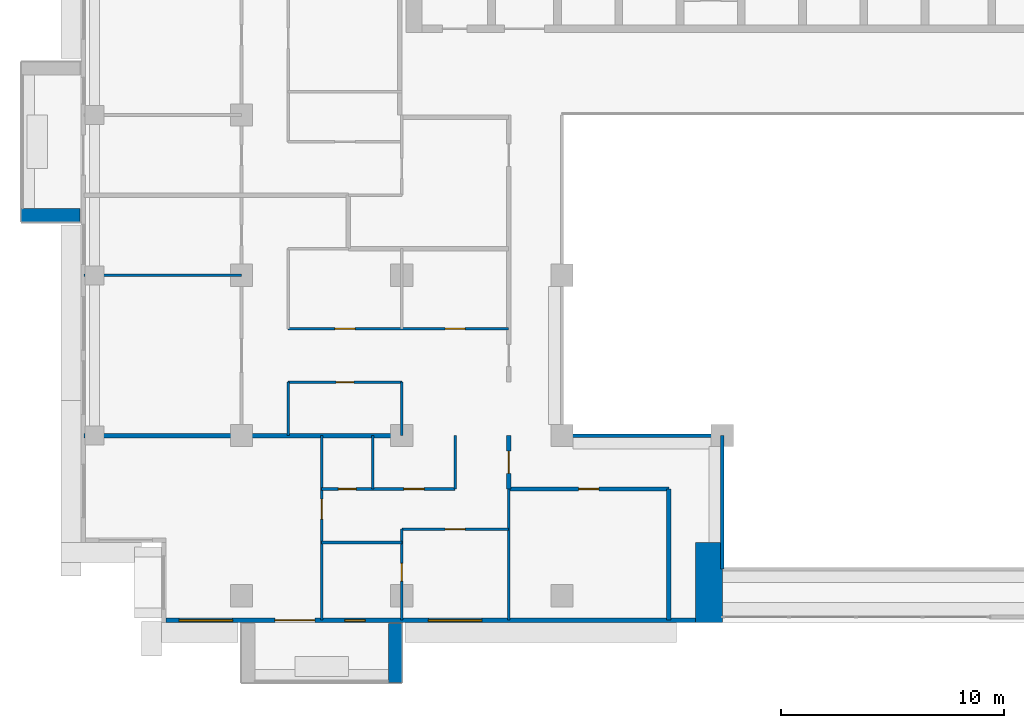
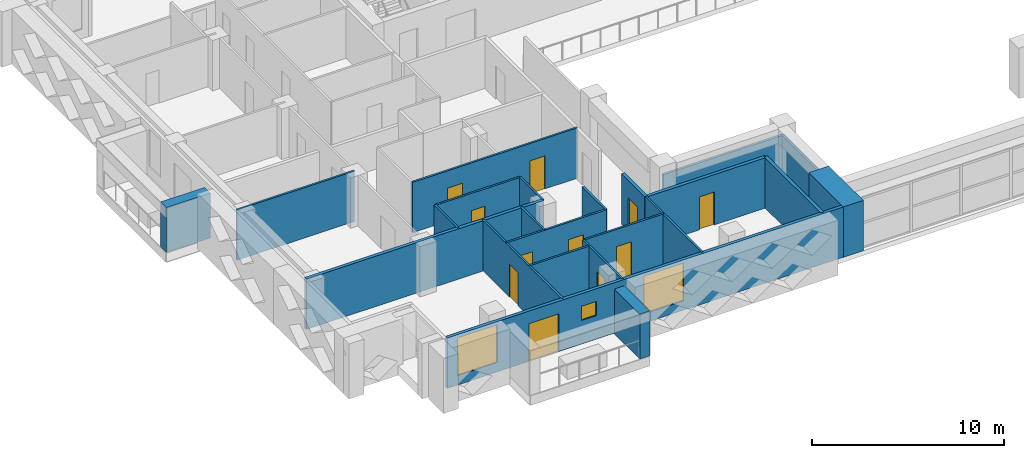
# One storey, part 6 of 19: 23 walls, 11 doors, 3 windows, 14 openings.
"""IFC4 building model written with IfcOpenShell, lengths in metres."""

from ifc_helpers import new_model, si_unit, direction, frame, frame_2d, origin, place, context, subcontext, project, spatial, rectangle, extrude, material, layer, layer_set, type_object, element, fill, save


model = new_model("IFC4")

# Units and contexts
model_context = context("Model", 3, precision=1e-05, world=origin(), true_north=direction((0.0, 1.0)))
body_context = subcontext(model_context, "Body", "Model", "MODEL_VIEW")
ifc_project = project(units=[si_unit("LENGTHUNIT", "METRE"), si_unit("AREAUNIT", "SQUARE_METRE"), si_unit("VOLUMEUNIT", "CUBIC_METRE"), si_unit("PLANEANGLEUNIT", "RADIAN"), si_unit("MASSUNIT", "GRAM", prefix="KILO")], contexts=[model_context])

# Site, building, storey
site_placement = place(None, origin())
site = spatial("IfcSite", under=ifc_project, at=site_placement, CompositionType="ELEMENT")
building_placement = place(site_placement, origin())
building = spatial("IfcBuilding", under=site, at=building_placement, Name="Saffron Iwan Residences", CompositionType="ELEMENT")
storey_placement = place(building_placement, frame((0.0, 0.0, 160.5)))
storey = spatial("IfcBuildingStorey", under=building, at=storey_placement, Name="L42", CompositionType="ELEMENT", Elevation=160.5)

# Walls
ifc_material_1 = material(Name="Fire-rated glazing", Category="glass")
ifc_layer_1 = layer(ifc_material_1, 0.14990234375)
ifc_layer_set_1 = layer_set([ifc_layer_1], Name="Fire-rated glazing")
wall_type_1 = type_object("IfcWallType", Name="Atrium glazed screen 150", PredefinedType="SOLIDWALL", material=ifc_layer_set_1)
wall_1_placement = place(storey_placement, frame((36.0, 48.0, 0.0), z_axis=(0.0, 0.0, 1.0), x_axis=(1.0, 0.0, 0.0)))
element("IfcWall", 1, at=wall_1_placement, inside=storey, type_object=wall_type_1, Name="W-L42-SCREEN-h48-36", PredefinedType="SOLIDWALL", context=body_context, shape_type="SweptSolid", body=[
    extrude(rectangle(XDim=7.199951171875, YDim=0.14990234375, at=frame_2d((3.60009765625, 0.0))), origin(), (0.0, 0.0, 1.0), 2.300048828125),
])
wall_2_placement = place(storey_placement, frame((43.199951171875, 42.0, 0.0), z_axis=(0.0, 0.0, 1.0), x_axis=(0.0, 1.0, 0.0)))
element("IfcWall", 2, at=wall_2_placement, inside=storey, type_object=wall_type_1, Name="W-L42-SCREEN-v43.2-42", PredefinedType="SOLIDWALL", context=body_context, shape_type="SweptSolid", body=[
    extrude(rectangle(XDim=6.0, YDim=0.14990234375, at=frame_2d((3.0, 0.0))), origin(), (0.0, 0.0, 1.0), 2.300048828125),
])
ifc_material_2 = material(Name="Concrete C50/60 white painted", Category="concrete")
ifc_layer_2 = layer(ifc_material_2, 0.60009765625)
ifc_layer_set_2 = layer_set([ifc_layer_2], Name="Concrete C50/60 white painted")
wall_type_2 = type_object("IfcWallType", Name="BALCONY FIN 600", PredefinedType="SOLIDWALL", material=ifc_layer_set_2)
for number, where, z_axis, x_axis, name in (
    (3, (14.35009765625, 57.89990234375, 0.0), (0.0, 0.0, 1.0), (-1.0, 0.0, 0.0), "Balcony fin L42 F8-0b"),
    (4, (28.5, 39.550048828125, 0.0), (0.0, 0.0, 1.0), (0.0, -1.0, 0.0), "Balcony fin L42 11-0b"),
):
    element("IfcWall", number, at=place(storey_placement, frame(where, z_axis=z_axis, x_axis=x_axis)), inside=storey, type_object=wall_type_2, Name=name, PredefinedType="SOLIDWALL", context=body_context, shape_type="SweptSolid", body=[
        extrude(rectangle(XDim=2.650146484375, YDim=0.60009765625, at=frame_2d((1.3251953125, 0.0))), origin(), (0.0, 0.0, 1.0), 2.85009765625),
    ])

# Wall, openings, door, windows
ifc_material_3 = material(Name="Concrete C40/50", Category="concrete")
ifc_layer_3 = layer(ifc_material_3, 0.199951171875)
ifc_layer_set_3 = layer_set([ifc_layer_3], Name="Concrete C40/50")
wall_type_3 = type_object("IfcWallType", Name="EXTERNAL WALL 200", PredefinedType="SOLIDWALL", material=ifc_layer_set_3)
wall_3_placement = place(storey_placement, frame((18.199951171875, 39.699951171875, 0.0), z_axis=(0.0, 0.0, 1.0), x_axis=(1.0, 0.0, 0.0)))
wall_3 = element("IfcWall", 5, at=wall_3_placement, inside=storey, type_object=wall_type_3, Name="External wall L42 F11.0", PredefinedType="SOLIDWALL", context=body_context, shape_type="SweptSolid", body=[
    extrude(rectangle(XDim=23.800048828125, YDim=0.199951171875, at=frame_2d((11.89990234375, 0.0))), origin(), (0.0, 0.0, 1.0), 3.199951171875),
])
opening_1_placement = place(wall_3_placement, frame((4.89990234375, 0.0, 0.0)))
opening_1 = element("IfcOpeningElement", 6, at=opening_1_placement, cuts=wall_3, Name="Opening BD1", PredefinedType="OPENING", context=body_context, shape_type="SweptSolid", body=[
    extrude(rectangle(XDim=1.800048828125, YDim=2.39990234375, at=frame_2d((0.89990234375, 1.199951171875))), frame((0.0, 0.10986328125, 0.0), z_axis=(0.0, -1.0, 0.0), x_axis=(1.0, 0.0, 0.0)), (0.0, 0.0, 1.0), 0.219970703125),
])
opening_2_placement = place(wall_3_placement, frame((0.60009765625, 0.0, 0.60009765625)))
opening_2 = element("IfcOpeningElement", 7, at=opening_2_placement, cuts=wall_3, Name="Opening W1", PredefinedType="OPENING", context=body_context, shape_type="SweptSolid", body=[
    extrude(rectangle(XDim=2.39990234375, YDim=2.39990234375, at=frame_2d((1.199951171875, 1.199951171875))), frame((0.0, 0.10986328125, 0.0), z_axis=(0.0, -1.0, 0.0), x_axis=(1.0, 0.0, 0.0)), (0.0, 0.0, 1.0), 0.219970703125),
])
opening_3_placement = place(wall_3_placement, frame((11.800048828125, 0.0, 0.60009765625)))
opening_3 = element("IfcOpeningElement", 8, at=opening_3_placement, cuts=wall_3, Name="Opening W1", PredefinedType="OPENING", context=body_context, shape_type="SweptSolid", body=[
    extrude(rectangle(XDim=2.39990234375, YDim=2.39990234375, at=frame_2d((1.199951171875, 1.199951171875))), frame((0.0, 0.10986328125, 0.0), z_axis=(0.0, -1.0, 0.0), x_axis=(1.0, 0.0, 0.0)), (0.0, 0.0, 1.0), 0.219970703125),
])
opening_4_placement = place(wall_3_placement, frame((8.050048828125, 0.0, 1.5)))
opening_4 = element("IfcOpeningElement", 9, at=opening_4_placement, cuts=wall_3, Name="Opening W6", PredefinedType="OPENING", context=body_context, shape_type="SweptSolid", body=[
    extrude(rectangle(XDim=0.89990234375, YDim=0.89990234375, at=frame_2d((0.449951171875, 0.449951171875))), frame((0.0, 0.10986328125, 0.0), z_axis=(0.0, -1.0, 0.0), x_axis=(1.0, 0.0, 0.0)), (0.0, 0.0, 1.0), 0.219970703125),
])
ifc_material_4 = material(Name="Clear glass, laminated double glazed", Category="glass")
door_type_1 = type_object("IfcDoorType", Name="BALCONY DOOR 1800 x 2400", OperationType="DOUBLE_DOOR_SLIDING", PredefinedType="DOOR", material=ifc_material_4)
door_1_placement = place(opening_1_placement, origin())
door_1 = element("IfcDoor", 10, at=door_1_placement, inside=storey, type_object=door_type_1, Name="Balcony door L42 F11.0", OperationType="DOUBLE_DOOR_SLIDING", OverallHeight=2.39990234375, OverallWidth=1.800048828125, PredefinedType="DOOR", context=body_context, shape_type="SweptSolid", body=[
    extrude(rectangle(XDim=1.800048828125, YDim=2.39990234375, at=frame_2d((0.89990234375, 1.199951171875))), frame((0.0, 0.02490234375, 0.0), z_axis=(0.0, -1.0, 0.0), x_axis=(1.0, 0.0, 0.0)), (0.0, 0.0, 1.0), 0.050048828125),
])
fill(opening_1, door_1)
window_type_1 = type_object("IfcWindowType", Name="WINDOW 2400 x 2400", PartitioningType="DOUBLE_PANEL_VERTICAL", PredefinedType="WINDOW", material=ifc_material_4)
window_1_placement = place(opening_2_placement, origin())
window_1 = element("IfcWindow", 11, at=window_1_placement, inside=storey, type_object=window_type_1, Name="Window L42 F11.1", OverallHeight=2.39990234375, OverallWidth=2.39990234375, PartitioningType="DOUBLE_PANEL_VERTICAL", PredefinedType="WINDOW", context=body_context, shape_type="SweptSolid", body=[
    extrude(rectangle(XDim=2.39990234375, YDim=2.39990234375, at=frame_2d((1.199951171875, 1.199951171875))), frame((0.0, 0.030029296875, 0.0), z_axis=(0.0, -1.0, 0.0), x_axis=(1.0, 0.0, 0.0)), (0.0, 0.0, 1.0), 0.06005859375),
])
fill(opening_2, window_1)
window_2_placement = place(opening_3_placement, origin())
window_2 = element("IfcWindow", 12, at=window_2_placement, inside=storey, type_object=window_type_1, Name="Window L42 F11.2", OverallHeight=2.39990234375, OverallWidth=2.39990234375, PartitioningType="DOUBLE_PANEL_VERTICAL", PredefinedType="WINDOW", context=body_context, shape_type="SweptSolid", body=[
    extrude(rectangle(XDim=2.39990234375, YDim=2.39990234375, at=frame_2d((1.199951171875, 1.199951171875))), frame((0.0, 0.030029296875, 0.0), z_axis=(0.0, -1.0, 0.0), x_axis=(1.0, 0.0, 0.0)), (0.0, 0.0, 1.0), 0.06005859375),
])
fill(opening_3, window_2)
window_type_2 = type_object("IfcWindowType", Name="WINDOW 900 x 900 BATH", PartitioningType="SINGLE_PANEL", PredefinedType="WINDOW", material=ifc_material_4)
window_3_placement = place(opening_4_placement, origin())
window_3 = element("IfcWindow", 13, at=window_3_placement, inside=storey, type_object=window_type_2, Name="Window L42 F11.3", OverallHeight=0.89990234375, OverallWidth=0.89990234375, PartitioningType="SINGLE_PANEL", PredefinedType="WINDOW", context=body_context, shape_type="SweptSolid", body=[
    extrude(rectangle(XDim=0.89990234375, YDim=0.89990234375, at=frame_2d((0.449951171875, 0.449951171875))), frame((0.0, 0.030029296875, 0.0), z_axis=(0.0, -1.0, 0.0), x_axis=(1.0, 0.0, 0.0)), (0.0, 0.0, 1.0), 0.06005859375),
])
fill(opening_4, window_3)

# Walls
ifc_material_5 = material(Name="Fire-rated gypsum board wall")
ifc_layer_4 = layer(ifc_material_5, 0.199951171875)
ifc_layer_set_4 = layer_set([ifc_layer_4], Name="Fire-rated gypsum board wall")
wall_type_4 = type_object("IfcWallType", Name="Flat demising wall 200", PredefinedType="SOLIDWALL", material=ifc_layer_set_4)
wall_4_placement = place(storey_placement, frame((14.52490234375, 48.0, 0.0), z_axis=(0.0, 0.0, 1.0), x_axis=(1.0, 0.0, 0.0)))
element("IfcWall", 14, at=wall_4_placement, inside=storey, type_object=wall_type_4, Name="W-L42-DEMISE-h48-14.525", PredefinedType="SOLIDWALL", context=body_context, shape_type="SweptSolid", body=[
    extrude(rectangle(XDim=14.275146484375, YDim=0.199951171875, at=frame_2d((7.1376953125, 0.0))), origin(), (0.0, 0.0, 1.0), 3.199951171875),
])
ifc_material_6 = material(Name="Gypsum board partition")
ifc_layer_5 = layer(ifc_material_6, 0.1201171875)
ifc_layer_set_5 = layer_set([ifc_layer_5], Name="Gypsum board partition")
wall_type_5 = type_object("IfcWallType", Name="Flat partition 120", PredefinedType="PARTITIONING", material=ifc_layer_set_5)
wall_5_placement = place(storey_placement, frame((25.199951171875, 43.199951171875, 0.0), z_axis=(0.0, 0.0, 1.0), x_axis=(1.0, 0.0, 0.0)))
element("IfcWall", 15, at=wall_5_placement, inside=storey, type_object=wall_type_5, Name="W-L42-PART-h43.2-25.2", PredefinedType="PARTITIONING", context=body_context, shape_type="SweptSolid", body=[
    extrude(rectangle(XDim=3.60009765625, YDim=0.1201171875, at=frame_2d((1.800048828125, 0.0))), origin(), (0.0, 0.0, 1.0), 3.199951171875),
])

# Wall, opening, door
wall_6_placement = place(storey_placement, frame((28.800048828125, 43.800048828125, 0.0), z_axis=(0.0, 0.0, 1.0), x_axis=(1.0, 0.0, 0.0)))
wall_6 = element("IfcWall", 16, at=wall_6_placement, inside=storey, type_object=wall_type_5, Name="W-L42-PART-h43.8-28.8", PredefinedType="PARTITIONING", context=body_context, shape_type="SweptSolid", body=[
    extrude(rectangle(XDim=4.800048828125, YDim=0.1201171875, at=frame_2d((2.39990234375, 0.0))), origin(), (0.0, 0.0, 1.0), 3.199951171875),
])
opening_5_placement = place(wall_6_placement, frame((1.949951171875, 0.0, 0.0)))
opening_5 = element("IfcOpeningElement", 17, at=opening_5_placement, cuts=wall_6, Name="Opening FD2", PredefinedType="OPENING", context=body_context, shape_type="SweptSolid", body=[
    extrude(rectangle(XDim=0.89990234375, YDim=2.10009765625, at=frame_2d((0.449951171875, 1.050048828125))), frame((0.0, 0.070068359375, 0.0), z_axis=(0.0, -1.0, 0.0), x_axis=(1.0, 0.0, 0.0)), (0.0, 0.0, 1.0), 0.14013671875),
])
ifc_material_7 = material(Name="Timber door", Category="wood")
door_type_2 = type_object("IfcDoorType", Name="Flat door 900", OperationType="NOTDEFINED", PredefinedType="DOOR", material=ifc_material_7)
door_2_placement = place(opening_5_placement, origin())
door_2 = element("IfcDoor", 18, at=door_2_placement, inside=storey, type_object=door_type_2, Name="Door L42-003", OperationType="SINGLE_SWING_LEFT", OverallHeight=2.10009765625, OverallWidth=0.89990234375, PredefinedType="DOOR", context=body_context, shape_type="SweptSolid", body=[
    extrude(rectangle(XDim=0.89990234375, YDim=2.10009765625, at=frame_2d((0.449951171875, 1.050048828125))), frame((0.0, 0.02490234375, 0.0), z_axis=(0.0, -1.0, 0.0), x_axis=(1.0, 0.0, 0.0)), (0.0, 0.0, 1.0), 0.050048828125),
])
fill(opening_5, door_2)

# Wall, openings, doors
wall_7_placement = place(storey_placement, frame((25.199951171875, 45.60009765625, 0.0), z_axis=(0.0, 0.0, 1.0), x_axis=(1.0, 0.0, 0.0)))
wall_7 = element("IfcWall", 19, at=wall_7_placement, inside=storey, type_object=wall_type_5, Name="W-L42-PART-h45.6-25.2", PredefinedType="PARTITIONING", context=body_context, shape_type="SweptSolid", body=[
    extrude(rectangle(XDim=6.0, YDim=0.1201171875, at=frame_2d((3.0, 0.0))), origin(), (0.0, 0.0, 1.0), 3.199951171875),
])
opening_6_placement = place(wall_7_placement, frame((0.75, 0.0, 0.0)))
opening_6 = element("IfcOpeningElement", 20, at=opening_6_placement, cuts=wall_7, Name="Opening FD3", PredefinedType="OPENING", context=body_context, shape_type="SweptSolid", body=[
    extrude(rectangle(XDim=0.800048828125, YDim=2.10009765625, at=frame_2d((0.39990234375, 1.050048828125))), frame((0.0, 0.070068359375, 0.0), z_axis=(0.0, -1.0, 0.0), x_axis=(1.0, 0.0, 0.0)), (0.0, 0.0, 1.0), 0.14013671875),
])
opening_7_placement = place(wall_7_placement, frame((3.699951171875, 0.0, 0.0)))
opening_7 = element("IfcOpeningElement", 21, at=opening_7_placement, cuts=wall_7, Name="Opening FD2", PredefinedType="OPENING", context=body_context, shape_type="SweptSolid", body=[
    extrude(rectangle(XDim=0.89990234375, YDim=2.10009765625, at=frame_2d((0.449951171875, 1.050048828125))), frame((0.0, 0.070068359375, 0.0), z_axis=(0.0, -1.0, 0.0), x_axis=(1.0, 0.0, 0.0)), (0.0, 0.0, 1.0), 0.14013671875),
])
door_type_3 = type_object("IfcDoorType", Name="Bathroom door 800", OperationType="NOTDEFINED", PredefinedType="DOOR", material=ifc_material_7)
door_3_placement = place(opening_6_placement, origin())
door_3 = element("IfcDoor", 22, at=door_3_placement, inside=storey, type_object=door_type_3, Name="Door L42-005", OperationType="SINGLE_SWING_LEFT", OverallHeight=2.10009765625, OverallWidth=0.800048828125, PredefinedType="DOOR", context=body_context, shape_type="SweptSolid", body=[
    extrude(rectangle(XDim=0.800048828125, YDim=2.10009765625, at=frame_2d((0.39990234375, 1.050048828125))), frame((0.0, 0.02490234375, 0.0), z_axis=(0.0, -1.0, 0.0), x_axis=(1.0, 0.0, 0.0)), (0.0, 0.0, 1.0), 0.050048828125),
])
fill(opening_6, door_3)
door_4_placement = place(opening_7_placement, origin())
door_4 = element("IfcDoor", 23, at=door_4_placement, inside=storey, type_object=door_type_2, Name="Door L42-006", OperationType="SINGLE_SWING_LEFT", OverallHeight=2.10009765625, OverallWidth=0.89990234375, PredefinedType="DOOR", context=body_context, shape_type="SweptSolid", body=[
    extrude(rectangle(XDim=0.89990234375, YDim=2.10009765625, at=frame_2d((0.449951171875, 1.050048828125))), frame((0.0, 0.02490234375, 0.0), z_axis=(0.0, -1.0, 0.0), x_axis=(1.0, 0.0, 0.0)), (0.0, 0.0, 1.0), 0.050048828125),
])
fill(opening_7, door_4)

# Wall, opening, door
wall_8_placement = place(storey_placement, frame((23.699951171875, 50.39990234375, 0.0), z_axis=(0.0, 0.0, 1.0), x_axis=(1.0, 0.0, 0.0)))
wall_8 = element("IfcWall", 24, at=wall_8_placement, inside=storey, type_object=wall_type_5, Name="W-L42-PART-h50.4-23.7", PredefinedType="PARTITIONING", context=body_context, shape_type="SweptSolid", body=[
    extrude(rectangle(XDim=5.10009765625, YDim=0.1201171875, at=frame_2d((2.550048828125, 0.0))), origin(), (0.0, 0.0, 1.0), 3.199951171875),
])
opening_8_placement = place(wall_8_placement, frame((2.14990234375, 0.0, 0.0)))
opening_8 = element("IfcOpeningElement", 25, at=opening_8_placement, cuts=wall_8, Name="Opening FD3", PredefinedType="OPENING", context=body_context, shape_type="SweptSolid", body=[
    extrude(rectangle(XDim=0.800048828125, YDim=2.10009765625, at=frame_2d((0.39990234375, 1.050048828125))), frame((0.0, 0.070068359375, 0.0), z_axis=(0.0, -1.0, 0.0), x_axis=(1.0, 0.0, 0.0)), (0.0, 0.0, 1.0), 0.14013671875),
])
door_5_placement = place(opening_8_placement, origin())
door_5 = element("IfcDoor", 26, at=door_5_placement, inside=storey, type_object=door_type_3, Name="Door L42-011", OperationType="SINGLE_SWING_LEFT", OverallHeight=2.10009765625, OverallWidth=0.800048828125, PredefinedType="DOOR", context=body_context, shape_type="SweptSolid", body=[
    extrude(rectangle(XDim=0.800048828125, YDim=2.10009765625, at=frame_2d((0.39990234375, 1.050048828125))), frame((0.0, 0.02490234375, 0.0), z_axis=(0.0, -1.0, 0.0), x_axis=(1.0, 0.0, 0.0)), (0.0, 0.0, 1.0), 0.050048828125),
])
fill(opening_8, door_5)

# Wall, openings, doors
wall_9_placement = place(storey_placement, frame((23.699951171875, 52.800048828125, 0.0), z_axis=(0.0, 0.0, 1.0), x_axis=(1.0, 0.0, 0.0)))
wall_9 = element("IfcWall", 27, at=wall_9_placement, inside=storey, type_object=wall_type_5, Name="W-L42-PART-h52.8-23.7", PredefinedType="PARTITIONING", context=body_context, shape_type="SweptSolid", body=[
    extrude(rectangle(XDim=9.900146484375, YDim=0.1201171875, at=frame_2d((4.9501953125, 0.0))), origin(), (0.0, 0.0, 1.0), 3.199951171875),
])
opening_9_placement = place(wall_9_placement, frame((2.10009765625, 0.0, 0.0)))
opening_9 = element("IfcOpeningElement", 28, at=opening_9_placement, cuts=wall_9, Name="Opening FD2", PredefinedType="OPENING", context=body_context, shape_type="SweptSolid", body=[
    extrude(rectangle(XDim=0.89990234375, YDim=2.10009765625, at=frame_2d((0.449951171875, 1.050048828125))), frame((0.0, 0.070068359375, 0.0), z_axis=(0.0, -1.0, 0.0), x_axis=(1.0, 0.0, 0.0)), (0.0, 0.0, 1.0), 0.14013671875),
])
opening_10_placement = place(wall_9_placement, frame((7.050048828125, 0.0, 0.0)))
opening_10 = element("IfcOpeningElement", 29, at=opening_10_placement, cuts=wall_9, Name="Opening FD2", PredefinedType="OPENING", context=body_context, shape_type="SweptSolid", body=[
    extrude(rectangle(XDim=0.89990234375, YDim=2.10009765625, at=frame_2d((0.449951171875, 1.050048828125))), frame((0.0, 0.070068359375, 0.0), z_axis=(0.0, -1.0, 0.0), x_axis=(1.0, 0.0, 0.0)), (0.0, 0.0, 1.0), 0.14013671875),
])
door_6_placement = place(opening_9_placement, origin())
door_6 = element("IfcDoor", 30, at=door_6_placement, inside=storey, type_object=door_type_2, Name="Door L42-012", OperationType="SINGLE_SWING_LEFT", OverallHeight=2.10009765625, OverallWidth=0.89990234375, PredefinedType="DOOR", context=body_context, shape_type="SweptSolid", body=[
    extrude(rectangle(XDim=0.89990234375, YDim=2.10009765625, at=frame_2d((0.449951171875, 1.050048828125))), frame((0.0, 0.02490234375, 0.0), z_axis=(0.0, -1.0, 0.0), x_axis=(1.0, 0.0, 0.0)), (0.0, 0.0, 1.0), 0.050048828125),
])
fill(opening_9, door_6)
door_7_placement = place(opening_10_placement, origin())
door_7 = element("IfcDoor", 31, at=door_7_placement, inside=storey, type_object=door_type_2, Name="Door L42-013", OperationType="SINGLE_SWING_RIGHT", OverallHeight=2.10009765625, OverallWidth=0.89990234375, PredefinedType="DOOR", context=body_context, shape_type="SweptSolid", body=[
    extrude(rectangle(XDim=0.89990234375, YDim=2.10009765625, at=frame_2d((0.449951171875, 1.050048828125))), frame((0.0, 0.02490234375, 0.0), z_axis=(0.0, -1.0, 0.0), x_axis=(1.0, 0.0, 0.0)), (0.0, 0.0, 1.0), 0.050048828125),
])
fill(opening_10, door_7)

# Walls
wall_10_placement = place(storey_placement, frame((14.52490234375, 55.199951171875, 0.0), z_axis=(0.0, 0.0, 1.0), x_axis=(1.0, 0.0, 0.0)))
element("IfcWall", 32, at=wall_10_placement, inside=storey, type_object=wall_type_5, Name="W-L42-PART-h55.2-14.525", PredefinedType="PARTITIONING", context=body_context, shape_type="SweptSolid", body=[
    extrude(rectangle(XDim=7.0751953125, YDim=0.1201171875, at=frame_2d((3.53759765625, 0.0))), origin(), (0.0, 0.0, 1.0), 3.199951171875),
])
wall_11_placement = place(storey_placement, frame((23.699951171875, 48.0, 0.0), z_axis=(0.0, 0.0, 1.0), x_axis=(0.0, 1.0, 0.0)))
element("IfcWall", 33, at=wall_11_placement, inside=storey, type_object=wall_type_5, Name="W-L42-PART-v23.7-48", PredefinedType="PARTITIONING", context=body_context, shape_type="SweptSolid", body=[
    extrude(rectangle(XDim=2.39990234375, YDim=0.1201171875, at=frame_2d((1.199951171875, 0.0))), origin(), (0.0, 0.0, 1.0), 3.199951171875),
])

# Wall, opening, door
wall_12_placement = place(storey_placement, frame((25.199951171875, 39.72509765625, 0.0), z_axis=(0.0, 0.0, 1.0), x_axis=(0.0, 1.0, 0.0)))
wall_12 = element("IfcWall", 34, at=wall_12_placement, inside=storey, type_object=wall_type_5, Name="W-L42-PART-v25.2-39.725", PredefinedType="PARTITIONING", context=body_context, shape_type="SweptSolid", body=[
    extrude(rectangle(XDim=8.27490234375, YDim=0.1201171875, at=frame_2d((4.137451171875, 0.0))), origin(), (0.0, 0.0, 1.0), 3.199951171875),
])
opening_11_placement = place(wall_12_placement, frame((4.52490234375, 0.0, 0.0)))
opening_11 = element("IfcOpeningElement", 35, at=opening_11_placement, cuts=wall_12, Name="Opening FD2", PredefinedType="OPENING", context=body_context, shape_type="SweptSolid", body=[
    extrude(rectangle(XDim=0.89990234375, YDim=2.10009765625, at=frame_2d((0.449951171875, 1.050048828125))), frame((0.0, 0.070068359375, 0.0), z_axis=(0.0, -1.0, 0.0), x_axis=(1.0, 0.0, 0.0)), (0.0, 0.0, 1.0), 0.14013671875),
])
door_8_placement = place(opening_11_placement, origin())
door_8 = element("IfcDoor", 36, at=door_8_placement, inside=storey, type_object=door_type_2, Name="Door L42-002", OperationType="SINGLE_SWING_LEFT", OverallHeight=2.10009765625, OverallWidth=0.89990234375, PredefinedType="DOOR", context=body_context, shape_type="SweptSolid", body=[
    extrude(rectangle(XDim=0.89990234375, YDim=2.10009765625, at=frame_2d((0.449951171875, 1.050048828125))), frame((0.0, 0.02490234375, 0.0), z_axis=(0.0, -1.0, 0.0), x_axis=(1.0, 0.0, 0.0)), (0.0, 0.0, 1.0), 0.050048828125),
])
fill(opening_11, door_8)

# Wall
wall_13_placement = place(storey_placement, frame((27.5, 45.60009765625, 0.0), z_axis=(0.0, 0.0, 1.0), x_axis=(0.0, 1.0, 0.0)))
element("IfcWall", 37, at=wall_13_placement, inside=storey, type_object=wall_type_5, Name="W-L42-PART-v27.5-45.6", PredefinedType="PARTITIONING", context=body_context, shape_type="SweptSolid", body=[
    extrude(rectangle(XDim=2.39990234375, YDim=0.1201171875, at=frame_2d((1.199951171875, 0.0))), origin(), (0.0, 0.0, 1.0), 3.199951171875),
])

# Wall, opening, door
wall_14_placement = place(storey_placement, frame((28.800048828125, 39.72509765625, 0.0), z_axis=(0.0, 0.0, 1.0), x_axis=(0.0, 1.0, 0.0)))
wall_14 = element("IfcWall", 38, at=wall_14_placement, inside=storey, type_object=wall_type_5, Name="W-L42-PART-v28.8-39.725", PredefinedType="PARTITIONING", context=body_context, shape_type="SweptSolid", body=[
    extrude(rectangle(XDim=4.074951171875, YDim=0.1201171875, at=frame_2d((2.03759765625, 0.0))), origin(), (0.0, 0.0, 1.0), 3.199951171875),
])
opening_12_placement = place(wall_14_placement, frame((1.737548828125, 0.0, 0.0)))
opening_12 = element("IfcOpeningElement", 39, at=opening_12_placement, cuts=wall_14, Name="Opening FD3", PredefinedType="OPENING", context=body_context, shape_type="SweptSolid", body=[
    extrude(rectangle(XDim=0.800048828125, YDim=2.10009765625, at=frame_2d((0.39990234375, 1.050048828125))), frame((0.0, 0.070068359375, 0.0), z_axis=(0.0, -1.0, 0.0), x_axis=(1.0, 0.0, 0.0)), (0.0, 0.0, 1.0), 0.14013671875),
])
door_9_placement = place(opening_12_placement, origin())
door_9 = element("IfcDoor", 40, at=door_9_placement, inside=storey, type_object=door_type_3, Name="Door L42-004", OperationType="SINGLE_SWING_LEFT", OverallHeight=2.10009765625, OverallWidth=0.800048828125, PredefinedType="DOOR", context=body_context, shape_type="SweptSolid", body=[
    extrude(rectangle(XDim=0.800048828125, YDim=2.10009765625, at=frame_2d((0.39990234375, 1.050048828125))), frame((0.0, 0.02490234375, 0.0), z_axis=(0.0, -1.0, 0.0), x_axis=(1.0, 0.0, 0.0)), (0.0, 0.0, 1.0), 0.050048828125),
])
fill(opening_12, door_9)

# Walls
for number, where, z_axis, x_axis, name in (
    (41, (28.800048828125, 48.0, 0.0), (0.0, 0.0, 1.0), (0.0, 1.0, 0.0), "W-L42-PART-v28.8-48"),
    (42, (31.199951171875, 45.60009765625, 0.0), (0.0, 0.0, 1.0), (0.0, 1.0, 0.0), "W-L42-PART-v31.2-45.6"),
):
    element("IfcWall", number, at=place(storey_placement, frame(where, z_axis=z_axis, x_axis=x_axis)), inside=storey, type_object=wall_type_5, Name=name, PredefinedType="PARTITIONING", context=body_context, shape_type="SweptSolid", body=[
        extrude(rectangle(XDim=2.39990234375, YDim=0.1201171875, at=frame_2d((1.199951171875, 0.0))), origin(), (0.0, 0.0, 1.0), 3.199951171875),
    ])
wall_15_placement = place(storey_placement, frame((33.60009765625, 39.72509765625, 0.0), z_axis=(0.0, 0.0, 1.0), x_axis=(0.0, 1.0, 0.0)))
element("IfcWall", 43, at=wall_15_placement, inside=storey, type_object=wall_type_5, Name="W-L42-PART-v33.6-39.725", PredefinedType="PARTITIONING", context=body_context, shape_type="SweptSolid", body=[
    extrude(rectangle(XDim=5.875, YDim=0.1201171875, at=frame_2d((2.9375, 0.0))), origin(), (0.0, 0.0, 1.0), 3.199951171875),
])

# Wall, opening, door
ifc_layer_6 = layer(ifc_material_5, 0.199951171875)
ifc_layer_set_6 = layer_set([ifc_layer_6], Name="Fire-rated gypsum board wall")
wall_type_6 = type_object("IfcWallType", Name="Gallery wall 200", PredefinedType="SOLIDWALL", material=ifc_layer_set_6)
wall_16_placement = place(storey_placement, frame((33.60009765625, 45.60009765625, 0.0), z_axis=(0.0, 0.0, 1.0), x_axis=(1.0, 0.0, 0.0)))
wall_16 = element("IfcWall", 44, at=wall_16_placement, inside=storey, type_object=wall_type_6, Name="W-L42-CORR-h45.6-33.6", PredefinedType="SOLIDWALL", context=body_context, shape_type="SweptSolid", body=[
    extrude(rectangle(XDim=7.199951171875, YDim=0.199951171875, at=frame_2d((3.60009765625, 0.0))), origin(), (0.0, 0.0, 1.0), 3.199951171875),
])
opening_13_placement = place(wall_16_placement, frame((3.14990234375, 0.0, 0.0)))
opening_13 = element("IfcOpeningElement", 45, at=opening_13_placement, cuts=wall_16, Name="Opening FD2", PredefinedType="OPENING", context=body_context, shape_type="SweptSolid", body=[
    extrude(rectangle(XDim=0.89990234375, YDim=2.10009765625, at=frame_2d((0.449951171875, 1.050048828125))), frame((0.0, 0.10986328125, 0.0), z_axis=(0.0, -1.0, 0.0), x_axis=(1.0, 0.0, 0.0)), (0.0, 0.0, 1.0), 0.219970703125),
])
door_10_placement = place(opening_13_placement, origin())
door_10 = element("IfcDoor", 46, at=door_10_placement, inside=storey, type_object=door_type_2, Name="Door L42-007", OperationType="SINGLE_SWING_RIGHT", OverallHeight=2.10009765625, OverallWidth=0.89990234375, PredefinedType="DOOR", context=body_context, shape_type="SweptSolid", body=[
    extrude(rectangle(XDim=0.89990234375, YDim=2.10009765625, at=frame_2d((0.449951171875, 1.050048828125))), frame((0.0, 0.02490234375, 0.0), z_axis=(0.0, -1.0, 0.0), x_axis=(1.0, 0.0, 0.0)), (0.0, 0.0, 1.0), 0.050048828125),
])
fill(opening_13, door_10)

wall_17_placement = place(storey_placement, frame((33.60009765625, 45.60009765625, 0.0), z_axis=(0.0, 0.0, 1.0), x_axis=(0.0, 1.0, 0.0)))
wall_17 = element("IfcWall", 47, at=wall_17_placement, inside=storey, type_object=wall_type_6, Name="W-L42-CORR-v33.6-45.6", PredefinedType="SOLIDWALL", context=body_context, shape_type="SweptSolid", body=[
    extrude(rectangle(XDim=2.39990234375, YDim=0.199951171875, at=frame_2d((1.199951171875, 0.0))), origin(), (0.0, 0.0, 1.0), 3.199951171875),
])
opening_14_placement = place(wall_17_placement, frame((0.699951171875, 0.0, 0.0)))
opening_14 = element("IfcOpeningElement", 48, at=opening_14_placement, cuts=wall_17, Name="Opening FD1", PredefinedType="OPENING", context=body_context, shape_type="SweptSolid", body=[
    extrude(rectangle(XDim=1.0, YDim=2.10009765625, at=frame_2d((0.5, 1.050048828125))), frame((0.0, 0.10986328125, 0.0), z_axis=(0.0, -1.0, 0.0), x_axis=(1.0, 0.0, 0.0)), (0.0, 0.0, 1.0), 0.219970703125),
])
ifc_material_8 = material(Name="Fire-rated timber door", Category="wood")
door_type_4 = type_object("IfcDoorType", Name="FD30S flat entrance door 1000", OperationType="NOTDEFINED", PredefinedType="DOOR", material=ifc_material_8)
door_11_placement = place(opening_14_placement, origin())
door_11 = element("IfcDoor", 49, at=door_11_placement, inside=storey, type_object=door_type_4, Name="Door L42-001", OperationType="SINGLE_SWING_RIGHT", OverallHeight=2.10009765625, OverallWidth=1.0, PredefinedType="DOOR", context=body_context, shape_type="SweptSolid", body=[
    extrude(rectangle(XDim=1.0, YDim=2.10009765625, at=frame_2d((0.5, 1.050048828125))), frame((0.0, 0.02490234375, 0.0), z_axis=(0.0, -1.0, 0.0), x_axis=(1.0, 0.0, 0.0)), (0.0, 0.0, 1.0), 0.050048828125),
])
fill(opening_14, door_11)

# Walls
wall_18_placement = place(storey_placement, frame((40.800048828125, 39.72509765625, 0.0), z_axis=(0.0, 0.0, 1.0), x_axis=(0.0, 1.0, 0.0)))
element("IfcWall", 50, at=wall_18_placement, inside=storey, type_object=wall_type_6, Name="W-L42-CORR-v40.8-39.725", PredefinedType="SOLIDWALL", context=body_context, shape_type="SweptSolid", body=[
    extrude(rectangle(XDim=5.875, YDim=0.199951171875, at=frame_2d((2.9375, 0.0))), origin(), (0.0, 0.0, 1.0), 3.199951171875),
])
ifc_material_9 = material(Name="Concrete C50/60", Category="concrete")
ifc_layer_7 = layer(ifc_material_9, 1.199951171875)
ifc_layer_set_7 = layer_set([ifc_layer_7], Name="Concrete C50/60")
wall_type_7 = type_object("IfcWallType", Name="WALL IWAN PIER 1200 C50/60 3200 HIGH", PredefinedType="SHEAR", material=ifc_layer_set_7)
wall_19_placement = place(storey_placement, frame((42.60009765625, 39.60009765625, 0.0), z_axis=(0.0, 0.0, 1.0), x_axis=(0.0, 1.0, 0.0)))
element("IfcWall", 51, at=wall_19_placement, inside=storey, type_object=wall_type_7, Name="IWAN PIER", PredefinedType="SHEAR", context=body_context, shape_type="SweptSolid", body=[
    extrude(rectangle(XDim=3.599853515625, YDim=1.199951171875, at=frame_2d((1.7998046875, 0.0))), origin(), (0.0, 0.0, 1.0), 3.199951171875),
])

save(model, "model.ifc")
